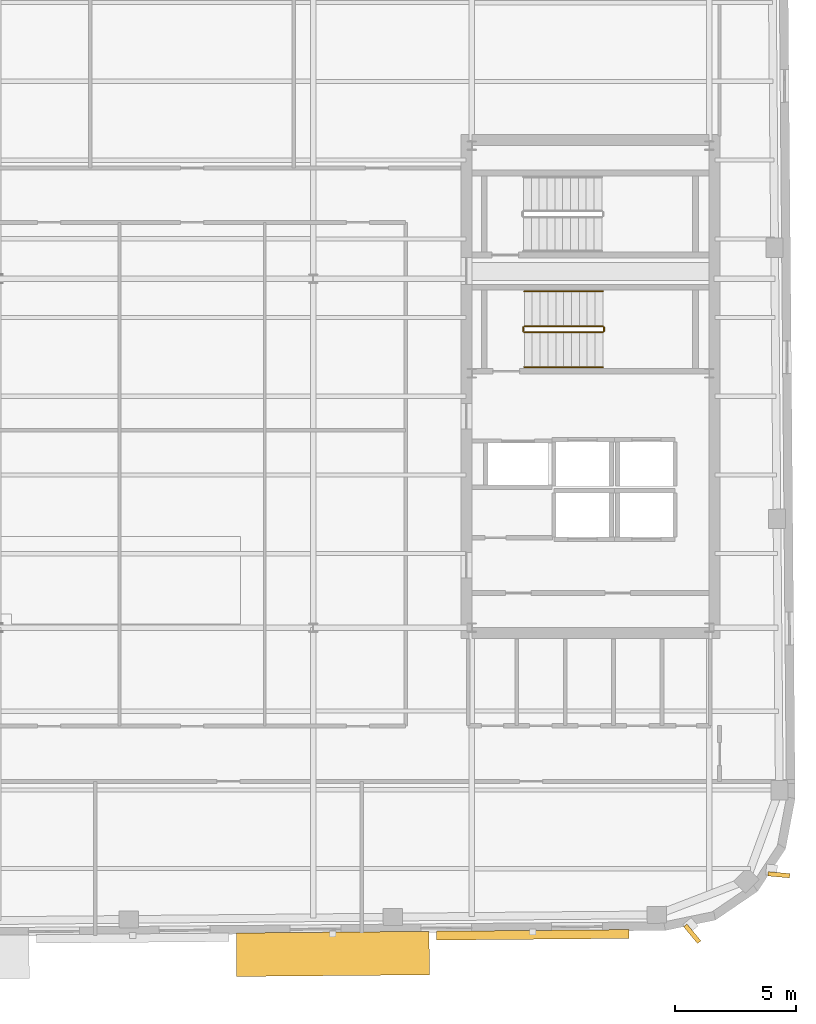
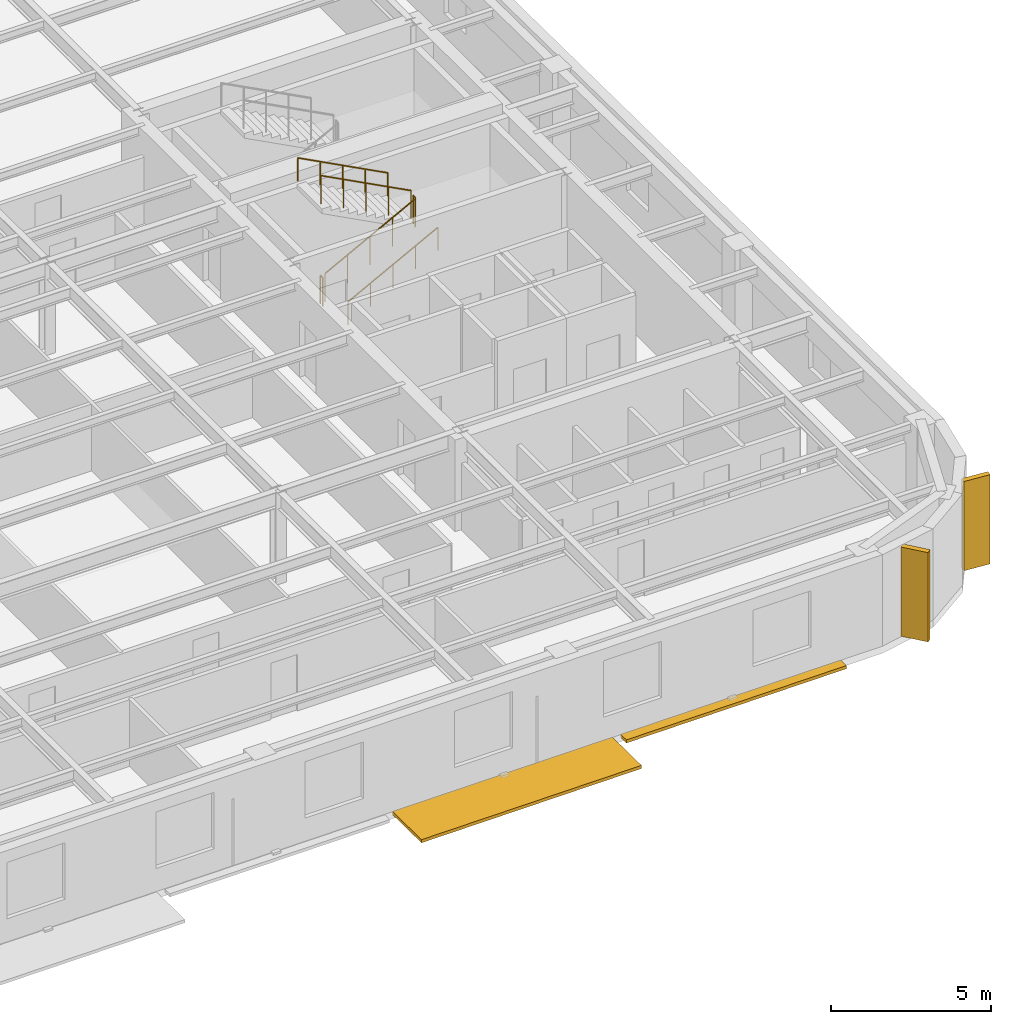
# One storey, part 13 of 15: 6 railings, 4 shading devices.
"""IFC4 building model written with IfcOpenShell, lengths in metres."""

from ifc_helpers import new_model, si_unit, direction, frame, origin, origin_2d, place, context, subcontext, project, spatial, rectangle, circle, extrude, material, type_object, element, save


model = new_model("IFC4")

# Units and contexts
model_context = context("Model", 3, precision=1e-05, world=origin(), true_north=direction((0.0, 1.0)))
body_context = subcontext(model_context, "Body", "Model", "MODEL_VIEW")
ifc_project = project(units=[si_unit("LENGTHUNIT", "METRE"), si_unit("AREAUNIT", "SQUARE_METRE"), si_unit("VOLUMEUNIT", "CUBIC_METRE"), si_unit("PLANEANGLEUNIT", "RADIAN"), si_unit("MASSUNIT", "GRAM", prefix="KILO")], contexts=[model_context])

# Site, building, storey
site_placement = place(None, origin())
site = spatial("IfcSite", under=ifc_project, at=site_placement, CompositionType="ELEMENT")
building_placement = place(site_placement, origin())
building = spatial("IfcBuilding", under=site, at=building_placement, Name="Kolvaren Arena Tower", CompositionType="ELEMENT")
storey_placement = place(building_placement, frame((0.0, 0.0, 304.89990234375)))
storey = spatial("IfcBuildingStorey", under=building, at=storey_placement, Name="L75", CompositionType="ELEMENT", Elevation=304.89990234375)

# Railings
ifc_material_1 = material(Name="Painted galvanized steel", Category="steel")
railing_type_1 = type_object("IfcRailingType", Name="GUARD-ST-110", PredefinedType="GUARDRAIL", material=ifc_material_1)
railing_1_placement = place(storey_placement, frame((52.719970703125, 31.639892578125, 0.170654296875)))
element("IfcRailing", 1, at=railing_1_placement, inside=storey, type_object=railing_type_1, Name="L75 ST-E1 stair guard 1", PredefinedType="GUARDRAIL", context=body_context, shape_type="SweptSolid", body=[
    extrude(circle(Radius=0.02392578125, at=origin_2d()), frame((0.0, 0.0, 1.076171875), z_axis=(0.885020909582, 0.0, 0.465551274945), x_axis=(0.0, 1.0, 0.0)), (0.0, 0.0, 1.0), 3.660888671875),
    extrude(circle(Radius=0.02099609375, at=origin_2d()), origin(), (0.0, 0.0, 1.0), 1.052001953125),
    extrude(circle(Radius=0.02099609375, at=origin_2d()), frame((0.81005859375, 0.0, 0.426025390625)), (0.0, 0.0, 1.0), 1.052001953125),
    extrude(circle(Radius=0.02099609375, at=origin_2d()), frame((1.6201171875, 0.0, 0.85205078125)), (0.0, 0.0, 1.0), 1.052001953125),
    extrude(circle(Radius=0.02099609375, at=origin_2d()), frame((2.429931640625, 0.0, 1.2783203125)), (0.0, 0.0, 1.0), 1.052001953125),
    extrude(circle(Radius=0.02099609375, at=origin_2d()), frame((3.239990234375, 0.0, 1.704345703125)), (0.0, 0.0, 1.0), 1.052001953125),
])
railing_2_placement = place(storey_placement, frame((56.010009765625, 31.68994140625, 1.875)))
element("IfcRailing", 2, at=railing_2_placement, inside=storey, type_object=railing_type_1, Name="L75 ST-E1 stair guard 2", PredefinedType="GUARDRAIL", context=body_context, shape_type="SweptSolid", body=[
    extrude(circle(Radius=0.02392578125, at=origin_2d()), frame((0.0, 0.0, 1.076171875), z_axis=(0.0, 1.0, 0.0), x_axis=(-1.0, 0.0, 0.0)), (0.0, 0.0, 1.0), 0.150146484375),
    extrude(circle(Radius=0.02099609375, at=origin_2d()), origin(), (0.0, 0.0, 1.0), 1.052001953125),
    extrude(circle(Radius=0.02099609375, at=origin_2d()), frame((0.0, 0.150146484375, 0.0)), (0.0, 0.0, 1.0), 1.052001953125),
])
railing_3_placement = place(storey_placement, frame((55.9599609375, 31.889892578125, 2.045654296875)))
element("IfcRailing", 3, at=railing_3_placement, inside=storey, type_object=railing_type_1, Name="L75 ST-E1 stair guard 3", PredefinedType="GUARDRAIL", context=body_context, shape_type="SweptSolid", body=[
    extrude(circle(Radius=0.02392578125, at=origin_2d()), frame((0.0, 0.0, 1.076171875), z_axis=(-0.885020909582, 0.0, 0.465551274945), x_axis=(0.0, -1.0, 0.0)), (0.0, 0.0, 1.0), 3.660888671875),
    extrude(circle(Radius=0.02099609375, at=origin_2d()), origin(), (0.0, 0.0, 1.0), 1.052001953125),
    extrude(circle(Radius=0.02099609375, at=origin_2d()), frame((-0.81005859375, 0.0, 0.426025390625)), (0.0, 0.0, 1.0), 1.052001953125),
    extrude(circle(Radius=0.02099609375, at=origin_2d()), frame((-1.6201171875, 0.0, 0.85205078125)), (0.0, 0.0, 1.0), 1.052001953125),
    extrude(circle(Radius=0.02099609375, at=origin_2d()), frame((-2.429931640625, 0.0, 1.2783203125)), (0.0, 0.0, 1.0), 1.052001953125),
    extrude(circle(Radius=0.02099609375, at=origin_2d()), frame((-3.239990234375, 0.0, 1.704345703125)), (0.0, 0.0, 1.0), 1.052001953125),
])
railing_4_placement = place(storey_placement, frame((52.669921875, 31.68994140625, 0.0)))
element("IfcRailing", 4, at=railing_4_placement, inside=storey, type_object=railing_type_1, Name="L75 ST-E1 stair guard 4", PredefinedType="GUARDRAIL", context=body_context, shape_type="SweptSolid", body=[
    extrude(circle(Radius=0.02392578125, at=origin_2d()), frame((0.0, 0.0, 1.076171875), z_axis=(0.0, 1.0, 0.0), x_axis=(-1.0, 0.0, 0.0)), (0.0, 0.0, 1.0), 0.150146484375),
    extrude(circle(Radius=0.02099609375, at=origin_2d()), origin(), (0.0, 0.0, 1.0), 1.052001953125),
    extrude(circle(Radius=0.02099609375, at=origin_2d()), frame((0.0, 0.150146484375, 0.0)), (0.0, 0.0, 1.0), 1.052001953125),
])
ifc_material_2 = material(Name="Brushed stainless steel handrail", Category="steel")
railing_type_2 = type_object("IfcRailingType", Name="HRAIL-900", PredefinedType="HANDRAIL", material=ifc_material_2)
railing_5_placement = place(storey_placement, frame((52.719970703125, 30.199951171875, 0.170654296875)))
element("IfcRailing", 5, at=railing_5_placement, inside=storey, type_object=railing_type_2, Name="L75 ST-E1 stair handrail 1", PredefinedType="HANDRAIL", context=body_context, shape_type="SweptSolid", body=[
    extrude(circle(Radius=0.02392578125, at=origin_2d()), frame((0.0, 0.0, 0.8759765625), z_axis=(0.885020909582, 0.0, 0.465551274945), x_axis=(0.0, 1.0, 0.0)), (0.0, 0.0, 1.0), 3.660888671875),
    extrude(circle(Radius=0.02099609375, at=origin_2d()), origin(), (0.0, 0.0, 1.0), 0.851806640625),
    extrude(circle(Radius=0.02099609375, at=origin_2d()), frame((0.81005859375, 0.0, 0.426025390625)), (0.0, 0.0, 1.0), 0.851806640625),
    extrude(circle(Radius=0.02099609375, at=origin_2d()), frame((1.6201171875, 0.0, 0.85205078125)), (0.0, 0.0, 1.0), 0.851806640625),
    extrude(circle(Radius=0.02099609375, at=origin_2d()), frame((2.429931640625, 0.0, 1.2783203125)), (0.0, 0.0, 1.0), 0.851806640625),
    extrude(circle(Radius=0.02099609375, at=origin_2d()), frame((3.239990234375, 0.0, 1.704345703125)), (0.0, 0.0, 1.0), 0.851806640625),
])
railing_6_placement = place(storey_placement, frame((55.9599609375, 33.330078125, 2.045654296875)))
element("IfcRailing", 6, at=railing_6_placement, inside=storey, type_object=railing_type_2, Name="L75 ST-E1 stair handrail 2", PredefinedType="HANDRAIL", context=body_context, shape_type="SweptSolid", body=[
    extrude(circle(Radius=0.02392578125, at=origin_2d()), frame((0.0, 0.0, 0.8759765625), z_axis=(-0.885020909582, 0.0, 0.465551274945), x_axis=(0.0, -1.0, 0.0)), (0.0, 0.0, 1.0), 3.660888671875),
    extrude(circle(Radius=0.02099609375, at=origin_2d()), origin(), (0.0, 0.0, 1.0), 0.851806640625),
    extrude(circle(Radius=0.02099609375, at=origin_2d()), frame((-0.81005859375, 0.0, 0.426025390625)), (0.0, 0.0, 1.0), 0.851806640625),
    extrude(circle(Radius=0.02099609375, at=origin_2d()), frame((-1.6201171875, 0.0, 0.85205078125)), (0.0, 0.0, 1.0), 0.851806640625),
    extrude(circle(Radius=0.02099609375, at=origin_2d()), frame((-2.429931640625, 0.0, 1.2783203125)), (0.0, 0.0, 1.0), 0.851806640625),
    extrude(circle(Radius=0.02099609375, at=origin_2d()), frame((-3.239990234375, 0.0, 1.704345703125)), (0.0, 0.0, 1.0), 0.851806640625),
])

# Shading devices
ifc_material_3 = material(Name="Precast architectural concrete C50/60 rib fin", Category="concrete")
shading_device_type_1 = type_object("IfcShadingDeviceType", Name="SHAD-FIN-28", PredefinedType="USERDEFINED", material=ifc_material_3)
for number, where, z_axis, x_axis, name in (
    (7, (59.650634765625, 6.80615234375, 0.020263671875), (0.0, 0.0, 1.0), (0.639409480102, -0.768866384202, 0.0), "Precast 28-Deg Corner Rib Fin (L75)"),
    (8, (63.22900390625, 9.24267578125, 0.020263671875), (0.0, 0.0, 1.0), (0.995807961336, -0.091468596471, 0.0), "Precast 28-Deg Corner Rib Fin (L75)"),
):
    element("IfcShadingDevice", number, at=place(storey_placement, frame(where, z_axis=z_axis, x_axis=x_axis)), inside=storey, type_object=shading_device_type_1, Name=name, ObjectType="FIN", PredefinedType="USERDEFINED", context=body_context, shape_type="SweptSolid", body=[
        extrude(rectangle(XDim=0.89990234375, YDim=0.179931640625, at=origin_2d()), origin(), (0.0, 0.0, 1.0), 3.39990234375),
    ])
ifc_material_4 = material(Name="Architectural precast GFRC and anodised aluminium sunshade", Category="concrete")
shading_device_type_2 = type_object("IfcShadingDeviceType", Name="SHAD-SINE-A", PredefinedType="USERDEFINED", material=ifc_material_4)
shading_device_1_placement = place(storey_placement, frame((53.0673828125, 6.763916015625, -0.139892578125), z_axis=(0.0, 0.0, 1.0), x_axis=(-0.999961923064, -0.008726535498, 0.0)))
element("IfcShadingDevice", 9, at=shading_device_1_placement, inside=storey, type_object=shading_device_type_2, Name="Sinusoidal Slab-Edge Sunshade Louvre (L75)", ObjectType="LOUVRE", PredefinedType="USERDEFINED", context=body_context, shape_type="SweptSolid", body=[
    extrude(rectangle(XDim=7.9599609375, YDim=0.364990234375, at=origin_2d()), origin(), (0.0, 0.0, 1.0), 0.1201171875),
])
shading_device_type_3 = type_object("IfcShadingDeviceType", Name="SHAD-SINE-B", PredefinedType="JALOUSIE", material=ifc_material_4)
shading_device_2_placement = place(storey_placement, frame((44.813720703125, 5.976318359375, -0.139892578125), z_axis=(0.0, 0.0, 1.0), x_axis=(-0.999961923064, -0.008726535498, 0.0)))
element("IfcShadingDevice", 10, at=shading_device_2_placement, inside=storey, type_object=shading_device_type_3, Name="Sinusoidal Slab-Edge Sunshade Louvre (L75)", PredefinedType="JALOUSIE", context=body_context, shape_type="SweptSolid", body=[
    extrude(rectangle(XDim=7.9599609375, YDim=1.796142578125, at=origin_2d()), origin(), (0.0, 0.0, 1.0), 0.1201171875),
])

save(model, "model.ifc")
